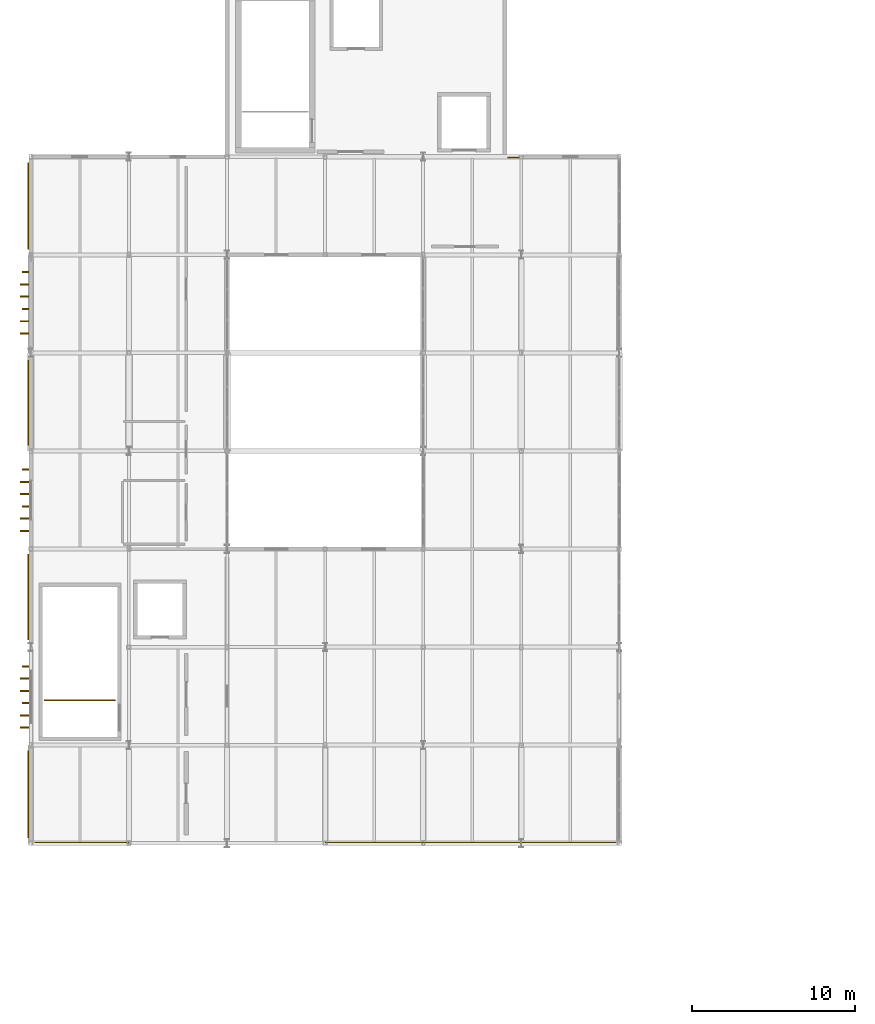
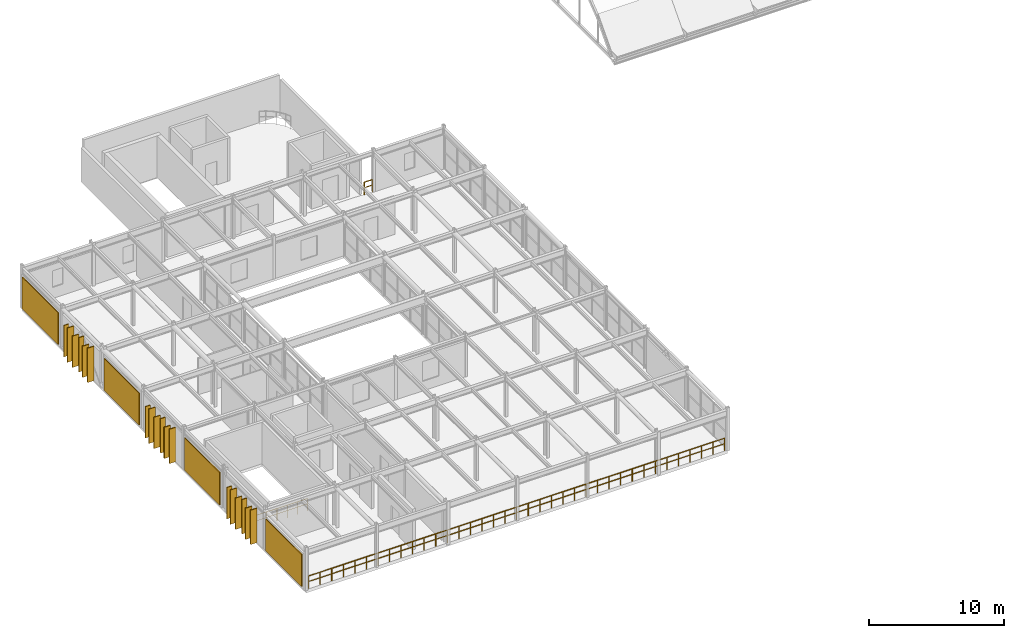
# One storey, part 58 of 63: 18 coverings, 4 shading devices, 3 railings.
"""IFC4 building model written with IfcOpenShell, lengths in metres."""

from ifc_helpers import new_model, si_unit, direction, frame, origin, origin_2d, place, context, subcontext, project, spatial, rectangle, circle, extrude, material, layer, layer_set, type_object, element, save


model = new_model("IFC4")

# Units and contexts
model_context = context("Model", 3, precision=1e-05, world=origin(), true_north=direction((0.0, 1.0)))
body_context = subcontext(model_context, "Body", "Model", "MODEL_VIEW")
ifc_project = project(units=[si_unit("LENGTHUNIT", "METRE"), si_unit("AREAUNIT", "SQUARE_METRE"), si_unit("VOLUMEUNIT", "CUBIC_METRE"), si_unit("PLANEANGLEUNIT", "RADIAN"), si_unit("MASSUNIT", "GRAM", prefix="KILO")], contexts=[model_context])

# Site, building, storey
site_placement = place(None, origin())
site = spatial("IfcSite", under=ifc_project, at=site_placement, CompositionType="ELEMENT")
building_placement = place(site_placement, origin())
building = spatial("IfcBuilding", under=site, at=building_placement, Name="Varnakota Square Police Headquarters", CompositionType="ELEMENT")
storey_placement = place(building_placement, frame((0.0, 0.0, 22.199951171875)))
storey = spatial("IfcBuildingStorey", under=building, at=storey_placement, Name="L05", CompositionType="ELEMENT", Elevation=22.199951171875)

# Coverings
ifc_material_1 = material(Name="White Anodised Aluminium Vertical Facade Blade 420", Category="aluminium")
ifc_layer_1 = layer(ifc_material_1, 0.0849609375, Name="White Anodised Aluminium Vertical Facade Blade 420")
ifc_layer_set_1 = layer_set([ifc_layer_1], Name="White Anodised Aluminium Vertical Facade Blade 420")
covering_type_1 = type_object("IfcCoveringType", Name="COV-FIN-420", PredefinedType="CLADDING", material=ifc_layer_set_1)
covering_1_placement = place(storey_placement, frame((5.675048828125, 29.574951171875, 0.0400390625), z_axis=(0.0, 0.0, 1.0), x_axis=(0.0, 1.0, 0.0)))
element("IfcCovering", 1, at=covering_1_placement, inside=storey, type_object=covering_type_1, Name="Vertical aluminium facade fin FIN-1028", PredefinedType="CLADDING", context=body_context, shape_type="SweptSolid", body=[
    extrude(rectangle(XDim=0.0849609375, YDim=0.419921875, at=origin_2d()), origin(), (0.0, 0.0, 1.0), 3.10009765625),
])
covering_2_placement = place(storey_placement, frame((5.675048828125, 31.824951171875, 0.0400390625), z_axis=(0.0, 0.0, 1.0), x_axis=(0.0, 1.0, 0.0)))
element("IfcCovering", 2, at=covering_2_placement, inside=storey, type_object=covering_type_1, Name="Vertical aluminium facade fin FIN-1031", PredefinedType="CLADDING", context=body_context, shape_type="SweptSolid", body=[
    extrude(rectangle(XDim=0.0849609375, YDim=0.419921875, at=origin_2d()), origin(), (0.0, 0.0, 1.0), 2.820068359375),
])
covering_3_placement = place(storey_placement, frame((5.675048828125, 41.612548828125, 0.0400390625), z_axis=(0.0, 0.0, 1.0), x_axis=(0.0, 1.0, 0.0)))
element("IfcCovering", 3, at=covering_3_placement, inside=storey, type_object=covering_type_1, Name="Vertical aluminium facade fin FIN-1034", PredefinedType="CLADDING", context=body_context, shape_type="SweptSolid", body=[
    extrude(rectangle(XDim=0.0849609375, YDim=0.419921875, at=origin_2d()), origin(), (0.0, 0.0, 1.0), 3.10009765625),
])
covering_4_placement = place(storey_placement, frame((5.675048828125, 43.862548828125, 0.0400390625), z_axis=(0.0, 0.0, 1.0), x_axis=(0.0, 1.0, 0.0)))
element("IfcCovering", 4, at=covering_4_placement, inside=storey, type_object=covering_type_1, Name="Vertical aluminium facade fin FIN-1037", PredefinedType="CLADDING", context=body_context, shape_type="SweptSolid", body=[
    extrude(rectangle(XDim=0.0849609375, YDim=0.419921875, at=origin_2d()), origin(), (0.0, 0.0, 1.0), 2.820068359375),
])
covering_5_placement = place(storey_placement, frame((5.675048828125, 53.6875, 0.0400390625), z_axis=(0.0, 0.0, 1.0), x_axis=(0.0, 1.0, 0.0)))
element("IfcCovering", 5, at=covering_5_placement, inside=storey, type_object=covering_type_1, Name="Vertical aluminium facade fin FIN-1040", PredefinedType="CLADDING", context=body_context, shape_type="SweptSolid", body=[
    extrude(rectangle(XDim=0.0849609375, YDim=0.419921875, at=origin_2d()), origin(), (0.0, 0.0, 1.0), 3.10009765625),
])
covering_6_placement = place(storey_placement, frame((5.675048828125, 55.9375, 0.0400390625), z_axis=(0.0, 0.0, 1.0), x_axis=(0.0, 1.0, 0.0)))
element("IfcCovering", 6, at=covering_6_placement, inside=storey, type_object=covering_type_1, Name="Vertical aluminium facade fin FIN-1043", PredefinedType="CLADDING", context=body_context, shape_type="SweptSolid", body=[
    extrude(rectangle(XDim=0.0849609375, YDim=0.419921875, at=origin_2d()), origin(), (0.0, 0.0, 1.0), 2.820068359375),
])
ifc_material_2 = material(Name="White Anodised Aluminium Vertical Facade Blade 550", Category="aluminium")
ifc_layer_2 = layer(ifc_material_2, 0.0849609375, Name="White Anodised Aluminium Vertical Facade Blade 550")
ifc_layer_set_2 = layer_set([ifc_layer_2], Name="White Anodised Aluminium Vertical Facade Blade 550")
covering_type_2 = type_object("IfcCoveringType", Name="COV-FIN-550", PredefinedType="CLADDING", material=ifc_layer_set_2)
covering_7_placement = place(storey_placement, frame((5.610107421875, 28.074951171875, 0.0400390625), z_axis=(0.0, 0.0, 1.0), x_axis=(0.0, 1.0, 0.0)))
element("IfcCovering", 7, at=covering_7_placement, inside=storey, type_object=covering_type_2, Name="Vertical aluminium facade fin FIN-1026", PredefinedType="CLADDING", context=body_context, shape_type="SweptSolid", body=[
    extrude(rectangle(XDim=0.0849609375, YDim=0.550048828125, at=origin_2d()), origin(), (0.0, 0.0, 1.0), 3.10009765625),
])
for number, where, z_axis, x_axis, name in (
    (8, (5.610107421875, 28.824951171875, 0.0400390625), (0.0, 0.0, 1.0), (0.0, 1.0, 0.0), "Vertical aluminium facade fin FIN-1027"),
    (9, (5.610107421875, 30.324951171875, 0.0400390625), (0.0, 0.0, 1.0), (0.0, 1.0, 0.0), "Vertical aluminium facade fin FIN-1029"),
):
    element("IfcCovering", number, at=place(storey_placement, frame(where, z_axis=z_axis, x_axis=x_axis)), inside=storey, type_object=covering_type_2, Name=name, PredefinedType="CLADDING", context=body_context, shape_type="SweptSolid", body=[
        extrude(rectangle(XDim=0.0849609375, YDim=0.550048828125, at=origin_2d()), origin(), (0.0, 0.0, 1.0), 2.820068359375),
    ])
for number, where, z_axis, x_axis, name in (
    (10, (5.610107421875, 31.074951171875, 0.0400390625), (0.0, 0.0, 1.0), (0.0, 1.0, 0.0), "Vertical aluminium facade fin FIN-1030"),
    (11, (5.610107421875, 40.112548828125, 0.0400390625), (0.0, 0.0, 1.0), (0.0, 1.0, 0.0), "Vertical aluminium facade fin FIN-1032"),
):
    element("IfcCovering", number, at=place(storey_placement, frame(where, z_axis=z_axis, x_axis=x_axis)), inside=storey, type_object=covering_type_2, Name=name, PredefinedType="CLADDING", context=body_context, shape_type="SweptSolid", body=[
        extrude(rectangle(XDim=0.0849609375, YDim=0.550048828125, at=origin_2d()), origin(), (0.0, 0.0, 1.0), 3.10009765625),
    ])
for number, where, z_axis, x_axis, name in (
    (12, (5.610107421875, 40.862548828125, 0.0400390625), (0.0, 0.0, 1.0), (0.0, 1.0, 0.0), "Vertical aluminium facade fin FIN-1033"),
    (13, (5.610107421875, 42.362548828125, 0.0400390625), (0.0, 0.0, 1.0), (0.0, 1.0, 0.0), "Vertical aluminium facade fin FIN-1035"),
):
    element("IfcCovering", number, at=place(storey_placement, frame(where, z_axis=z_axis, x_axis=x_axis)), inside=storey, type_object=covering_type_2, Name=name, PredefinedType="CLADDING", context=body_context, shape_type="SweptSolid", body=[
        extrude(rectangle(XDim=0.0849609375, YDim=0.550048828125, at=origin_2d()), origin(), (0.0, 0.0, 1.0), 2.820068359375),
    ])
for number, where, z_axis, x_axis, name in (
    (14, (5.610107421875, 43.112548828125, 0.0400390625), (0.0, 0.0, 1.0), (0.0, 1.0, 0.0), "Vertical aluminium facade fin FIN-1036"),
    (15, (5.610107421875, 52.1875, 0.0400390625), (0.0, 0.0, 1.0), (0.0, 1.0, 0.0), "Vertical aluminium facade fin FIN-1038"),
):
    element("IfcCovering", number, at=place(storey_placement, frame(where, z_axis=z_axis, x_axis=x_axis)), inside=storey, type_object=covering_type_2, Name=name, PredefinedType="CLADDING", context=body_context, shape_type="SweptSolid", body=[
        extrude(rectangle(XDim=0.0849609375, YDim=0.550048828125, at=origin_2d()), origin(), (0.0, 0.0, 1.0), 3.10009765625),
    ])
for number, where, z_axis, x_axis, name in (
    (16, (5.610107421875, 52.9375, 0.0400390625), (0.0, 0.0, 1.0), (0.0, 1.0, 0.0), "Vertical aluminium facade fin FIN-1039"),
    (17, (5.610107421875, 54.4375, 0.0400390625), (0.0, 0.0, 1.0), (0.0, 1.0, 0.0), "Vertical aluminium facade fin FIN-1041"),
):
    element("IfcCovering", number, at=place(storey_placement, frame(where, z_axis=z_axis, x_axis=x_axis)), inside=storey, type_object=covering_type_2, Name=name, PredefinedType="CLADDING", context=body_context, shape_type="SweptSolid", body=[
        extrude(rectangle(XDim=0.0849609375, YDim=0.550048828125, at=origin_2d()), origin(), (0.0, 0.0, 1.0), 2.820068359375),
    ])
covering_8_placement = place(storey_placement, frame((5.610107421875, 55.1875, 0.0400390625), z_axis=(0.0, 0.0, 1.0), x_axis=(0.0, 1.0, 0.0)))
element("IfcCovering", 18, at=covering_8_placement, inside=storey, type_object=covering_type_2, Name="Vertical aluminium facade fin FIN-1042", PredefinedType="CLADDING", context=body_context, shape_type="SweptSolid", body=[
    extrude(rectangle(XDim=0.0849609375, YDim=0.550048828125, at=origin_2d()), origin(), (0.0, 0.0, 1.0), 3.10009765625),
])

# Railings
ifc_material_3 = material(Name="Galvanised Powder-Coated Steel Guardrail", Category="steel")
railing_type_1 = type_object("IfcRailingType", Name="RL-BAL-1150", PredefinedType="BALUSTRADE", material=ifc_material_3)
railing_1_placement = place(storey_placement, frame((35.188232421875, 62.949951171875, 0.0)))
element("IfcRailing", 19, at=railing_1_placement, inside=storey, type_object=railing_type_1, Name="Perimeter edge safety guard GD-AUTO-L05-090", PredefinedType="BALUSTRADE", context=body_context, shape_type="SweptSolid", body=[
    extrude(circle(Radius=0.02392578125, at=origin_2d()), frame((0.0, 0.0, 1.1259765625), z_axis=(1.0, 0.0, 0.0), x_axis=(0.0, 1.0, 0.0)), (0.0, 0.0, 1.0), 0.685546875),
    extrude(circle(Radius=0.01806640625, at=origin_2d()), frame((0.0, 0.0, 0.63232421875), z_axis=(1.0, 0.0, 0.0), x_axis=(0.0, 1.0, 0.0)), (0.0, 0.0, 1.0), 0.685546875),
    extrude(circle(Radius=0.02099609375, at=origin_2d()), origin(), (0.0, 0.0, 1.0), 1.101806640625),
    extrude(circle(Radius=0.02099609375, at=origin_2d()), frame((0.685546875, 0.0, 0.0)), (0.0, 0.0, 1.0), 1.101806640625),
])
railing_2_placement = place(storey_placement, frame((41.77392578125, 21.050048828125, 0.0)))
element("IfcRailing", 20, at=railing_2_placement, inside=storey, type_object=railing_type_1, Name="Perimeter edge safety guard GD-AUTO-L05-091", PredefinedType="BALUSTRADE", context=body_context, shape_type="SweptSolid", body=[
    extrude(circle(Radius=0.02392578125, at=origin_2d()), frame((0.0, 0.0, 1.1259765625), z_axis=(-1.0, 0.0, 0.0), x_axis=(0.0, -1.0, 0.0)), (0.0, 0.0, 1.0), 35.5263671875),
    extrude(circle(Radius=0.01806640625, at=origin_2d()), frame((0.0, 0.0, 0.63232421875), z_axis=(-1.0, 0.0, 0.0), x_axis=(0.0, -1.0, 0.0)), (0.0, 0.0, 1.0), 35.5263671875),
    extrude(circle(Radius=0.02099609375, at=origin_2d()), origin(), (0.0, 0.0, 1.0), 1.101806640625),
    extrude(circle(Radius=0.02099609375, at=origin_2d()), frame((-0.98681640625, 0.0, 0.0)), (0.0, 0.0, 1.0), 1.101806640625),
    extrude(circle(Radius=0.02099609375, at=origin_2d()), frame((-1.9736328125, 0.0, 0.0)), (0.0, 0.0, 1.0), 1.101806640625),
    extrude(circle(Radius=0.02099609375, at=origin_2d()), frame((-2.96044921875, 0.0, 0.0)), (0.0, 0.0, 1.0), 1.101806640625),
    extrude(circle(Radius=0.02099609375, at=origin_2d()), frame((-3.947265625, 0.0, 0.0)), (0.0, 0.0, 1.0), 1.101806640625),
    extrude(circle(Radius=0.02099609375, at=origin_2d()), frame((-4.934326171875, 0.0, 0.0)), (0.0, 0.0, 1.0), 1.101806640625),
    extrude(circle(Radius=0.02099609375, at=origin_2d()), frame((-5.921142578125, 0.0, 0.0)), (0.0, 0.0, 1.0), 1.101806640625),
    extrude(circle(Radius=0.02099609375, at=origin_2d()), frame((-6.907958984375, 0.0, 0.0)), (0.0, 0.0, 1.0), 1.101806640625),
    extrude(circle(Radius=0.02099609375, at=origin_2d()), frame((-7.894775390625, 0.0, 0.0)), (0.0, 0.0, 1.0), 1.101806640625),
    extrude(circle(Radius=0.02099609375, at=origin_2d()), frame((-8.881591796875, 0.0, 0.0)), (0.0, 0.0, 1.0), 1.101806640625),
    extrude(circle(Radius=0.02099609375, at=origin_2d()), frame((-9.868408203125, 0.0, 0.0)), (0.0, 0.0, 1.0), 1.101806640625),
    extrude(circle(Radius=0.02099609375, at=origin_2d()), frame((-10.855224609375, 0.0, 0.0)), (0.0, 0.0, 1.0), 1.101806640625),
    extrude(circle(Radius=0.02099609375, at=origin_2d()), frame((-11.842041015625, 0.0, 0.0)), (0.0, 0.0, 1.0), 1.101806640625),
    extrude(circle(Radius=0.02099609375, at=origin_2d()), frame((-12.828857421875, 0.0, 0.0)), (0.0, 0.0, 1.0), 1.101806640625),
    extrude(circle(Radius=0.02099609375, at=origin_2d()), frame((-13.81591796875, 0.0, 0.0)), (0.0, 0.0, 1.0), 1.101806640625),
    extrude(circle(Radius=0.02099609375, at=origin_2d()), frame((-14.802734375, 0.0, 0.0)), (0.0, 0.0, 1.0), 1.101806640625),
    extrude(circle(Radius=0.02099609375, at=origin_2d()), frame((-15.78955078125, 0.0, 0.0)), (0.0, 0.0, 1.0), 1.101806640625),
    extrude(circle(Radius=0.02099609375, at=origin_2d()), frame((-16.7763671875, 0.0, 0.0)), (0.0, 0.0, 1.0), 1.101806640625),
    extrude(circle(Radius=0.02099609375, at=origin_2d()), frame((-17.76318359375, 0.0, 0.0)), (0.0, 0.0, 1.0), 1.101806640625),
    extrude(circle(Radius=0.02099609375, at=origin_2d()), frame((-18.75, 0.0, 0.0)), (0.0, 0.0, 1.0), 1.101806640625),
    extrude(circle(Radius=0.02099609375, at=origin_2d()), frame((-19.73681640625, 0.0, 0.0)), (0.0, 0.0, 1.0), 1.101806640625),
    extrude(circle(Radius=0.02099609375, at=origin_2d()), frame((-20.7236328125, 0.0, 0.0)), (0.0, 0.0, 1.0), 1.101806640625),
    extrude(circle(Radius=0.02099609375, at=origin_2d()), frame((-21.71044921875, 0.0, 0.0)), (0.0, 0.0, 1.0), 1.101806640625),
    extrude(circle(Radius=0.02099609375, at=origin_2d()), frame((-22.697509765625, 0.0, 0.0)), (0.0, 0.0, 1.0), 1.101806640625),
    extrude(circle(Radius=0.02099609375, at=origin_2d()), frame((-23.684326171875, 0.0, 0.0)), (0.0, 0.0, 1.0), 1.101806640625),
    extrude(circle(Radius=0.02099609375, at=origin_2d()), frame((-24.671142578125, 0.0, 0.0)), (0.0, 0.0, 1.0), 1.101806640625),
    extrude(circle(Radius=0.02099609375, at=origin_2d()), frame((-25.657958984375, 0.0, 0.0)), (0.0, 0.0, 1.0), 1.101806640625),
    extrude(circle(Radius=0.02099609375, at=origin_2d()), frame((-26.644775390625, 0.0, 0.0)), (0.0, 0.0, 1.0), 1.101806640625),
    extrude(circle(Radius=0.02099609375, at=origin_2d()), frame((-27.631591796875, 0.0, 0.0)), (0.0, 0.0, 1.0), 1.101806640625),
    extrude(circle(Radius=0.02099609375, at=origin_2d()), frame((-28.618408203125, 0.0, 0.0)), (0.0, 0.0, 1.0), 1.101806640625),
    extrude(circle(Radius=0.02099609375, at=origin_2d()), frame((-29.605224609375, 0.0, 0.0)), (0.0, 0.0, 1.0), 1.101806640625),
    extrude(circle(Radius=0.02099609375, at=origin_2d()), frame((-30.592041015625, 0.0, 0.0)), (0.0, 0.0, 1.0), 1.101806640625),
    extrude(circle(Radius=0.02099609375, at=origin_2d()), frame((-31.5791015625, 0.0, 0.0)), (0.0, 0.0, 1.0), 1.101806640625),
    extrude(circle(Radius=0.02099609375, at=origin_2d()), frame((-32.56591796875, 0.0, 0.0)), (0.0, 0.0, 1.0), 1.101806640625),
    extrude(circle(Radius=0.02099609375, at=origin_2d()), frame((-33.552734375, 0.0, 0.0)), (0.0, 0.0, 1.0), 1.101806640625),
    extrude(circle(Radius=0.02099609375, at=origin_2d()), frame((-34.53955078125, 0.0, 0.0)), (0.0, 0.0, 1.0), 1.101806640625),
    extrude(circle(Radius=0.02099609375, at=origin_2d()), frame((-35.5263671875, 0.0, 0.0)), (0.0, 0.0, 1.0), 1.101806640625),
])
ifc_material_4 = material(Name="Laminated Glass and Stainless Steel Balustrade", Category="steel")
railing_type_2 = type_object("IfcRailingType", Name="RL-INT-1150", PredefinedType="BALUSTRADE", material=ifc_material_4)
railing_3_placement = place(storey_placement, frame((6.840087890625, 29.75, 0.0)))
element("IfcRailing", 21, at=railing_3_placement, inside=storey, type_object=railing_type_2, Name="Stair well safety guard C4 L05", PredefinedType="BALUSTRADE", context=body_context, shape_type="SweptSolid", body=[
    extrude(circle(Radius=0.02392578125, at=origin_2d()), frame((0.0, 0.0, 1.1259765625), z_axis=(1.0, 0.0, 0.0), x_axis=(0.0, 1.0, 0.0)), (0.0, 0.0, 1.0), 4.31982421875),
    extrude(circle(Radius=0.01806640625, at=origin_2d()), frame((0.0, 0.0, 0.63232421875), z_axis=(1.0, 0.0, 0.0), x_axis=(0.0, 1.0, 0.0)), (0.0, 0.0, 1.0), 4.31982421875),
    extrude(circle(Radius=0.02099609375, at=origin_2d()), origin(), (0.0, 0.0, 1.0), 1.101806640625),
    extrude(circle(Radius=0.02099609375, at=origin_2d()), frame((0.864013671875, 0.0, 0.0)), (0.0, 0.0, 1.0), 1.101806640625),
    extrude(circle(Radius=0.02099609375, at=origin_2d()), frame((1.72802734375, 0.0, 0.0)), (0.0, 0.0, 1.0), 1.101806640625),
    extrude(circle(Radius=0.02099609375, at=origin_2d()), frame((2.591796875, 0.0, 0.0)), (0.0, 0.0, 1.0), 1.101806640625),
    extrude(circle(Radius=0.02099609375, at=origin_2d()), frame((3.455810546875, 0.0, 0.0)), (0.0, 0.0, 1.0), 1.101806640625),
    extrude(circle(Radius=0.02099609375, at=origin_2d()), frame((4.31982421875, 0.0, 0.0)), (0.0, 0.0, 1.0), 1.101806640625),
])

# Shading devices
ifc_material_5 = material(Name="Perforated Sandstone-Toned GRC Jali Screen", Category="masonry")
ifc_layer_3 = layer(ifc_material_5, 0.080078125, Name="Perforated Sandstone-Toned GRC Jali Screen")
ifc_layer_set_3 = layer_set([ifc_layer_3], Name="Perforated Sandstone-Toned GRC Jali Screen")
shading_device_type = type_object("IfcShadingDeviceType", Name="SHD-SCR-GRC", PredefinedType="USERDEFINED", material=ifc_layer_set_3)
shading_device_1_placement = place(storey_placement, frame((5.842041015625, 23.987548828125, 0.150146484375), z_axis=(0.0, 0.0, 1.0), x_axis=(0.0, 1.0, 0.0)))
element("IfcShadingDevice", 22, at=shading_device_1_placement, inside=storey, type_object=shading_device_type, Name="Perforated GRC solar screen SCR-021", ObjectType="SOLAR SCREEN", PredefinedType="USERDEFINED", context=body_context, shape_type="SweptSolid", body=[
    extrude(rectangle(XDim=5.31689453125, YDim=0.080078125, at=origin_2d()), origin(), (0.0, 0.0, 1.0), 2.8798828125),
])
shading_device_2_placement = place(storey_placement, frame((5.842041015625, 36.0625, 0.14990234375), z_axis=(0.0, 0.0, 1.0), x_axis=(0.0, 1.0, 0.0)))
element("IfcShadingDevice", 23, at=shading_device_2_placement, inside=storey, type_object=shading_device_type, Name="Perforated GRC solar screen SCR-022", ObjectType="SOLAR SCREEN", PredefinedType="USERDEFINED", context=body_context, shape_type="SweptSolid", body=[
    extrude(rectangle(XDim=5.217041015625, YDim=0.080078125, at=origin_2d()), origin(), (0.0, 0.0, 1.0), 2.929931640625),
])
shading_device_3_placement = place(storey_placement, frame((5.842041015625, 47.949951171875, 0.150146484375), z_axis=(0.0, 0.0, 1.0), x_axis=(0.0, 1.0, 0.0)))
element("IfcShadingDevice", 24, at=shading_device_3_placement, inside=storey, type_object=shading_device_type, Name="Perforated GRC solar screen SCR-023", ObjectType="SOLAR SCREEN", PredefinedType="USERDEFINED", context=body_context, shape_type="SweptSolid", body=[
    extrude(rectangle(XDim=5.19189453125, YDim=0.080078125, at=origin_2d()), origin(), (0.0, 0.0, 1.0), 2.8798828125),
])
shading_device_4_placement = place(storey_placement, frame((5.842041015625, 59.987548828125, 0.150146484375), z_axis=(0.0, 0.0, 1.0), x_axis=(0.0, 1.0, 0.0)))
element("IfcShadingDevice", 25, at=shading_device_4_placement, inside=storey, type_object=shading_device_type, Name="Perforated GRC solar screen SCR-024", ObjectType="SOLAR SCREEN", PredefinedType="USERDEFINED", context=body_context, shape_type="SweptSolid", body=[
    extrude(rectangle(XDim=5.31689453125, YDim=0.080078125, at=origin_2d()), origin(), (0.0, 0.0, 1.0), 2.8798828125),
])

save(model, "model.ifc")
